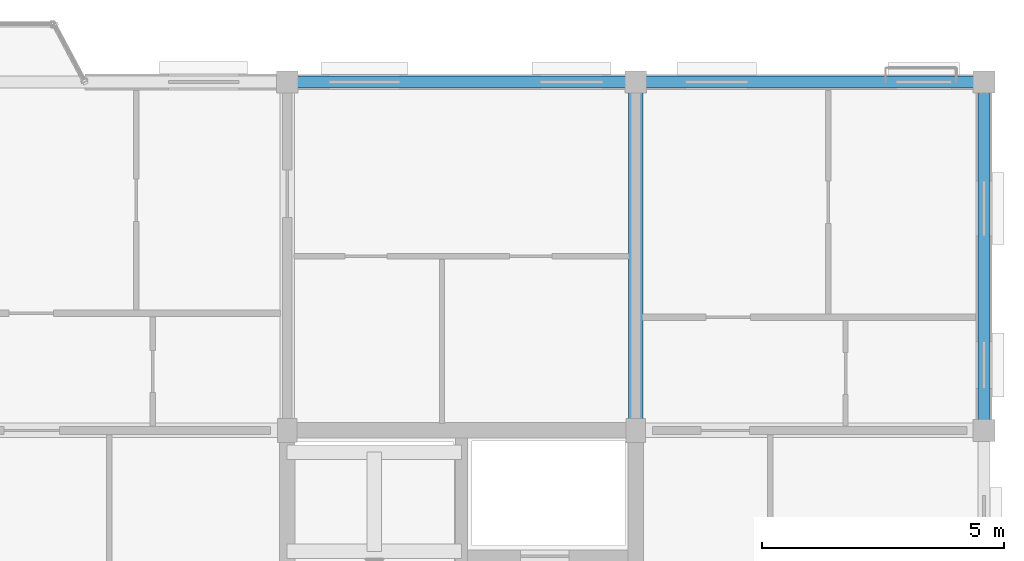
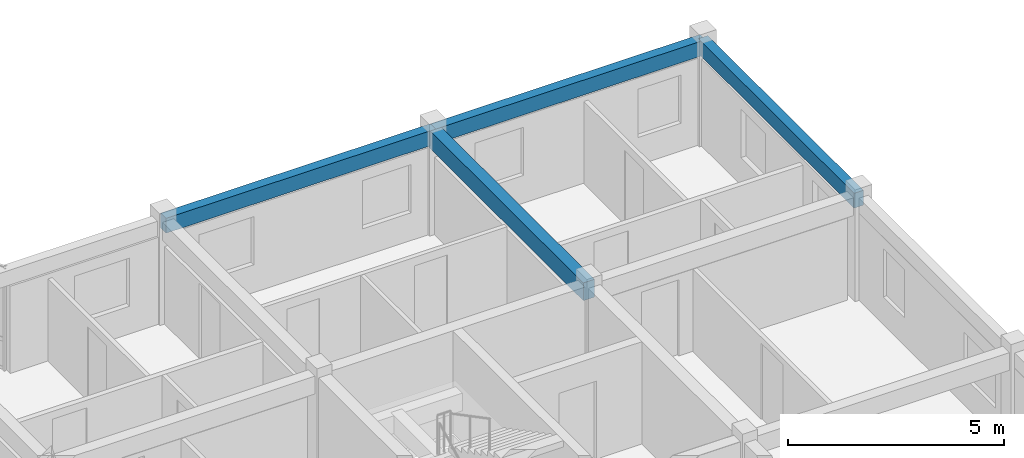
# One storey, part 13 of 28: 4 beams.
"""IFC4 building model written with IfcOpenShell, lengths in metres."""

from ifc_helpers import new_model, si_unit, direction, frame, origin, origin_2d, place, context, subcontext, project, spatial, rectangle, extrude, material, material_profile, profile_set, type_object, element, save


model = new_model("IFC4")

# Units and contexts
model_context = context("Model", 3, precision=1e-05, world=origin(), true_north=direction((0.0, 1.0)))
body_context = subcontext(model_context, "Body", "Model", "MODEL_VIEW")
ifc_project = project(units=[si_unit("LENGTHUNIT", "METRE"), si_unit("AREAUNIT", "SQUARE_METRE"), si_unit("VOLUMEUNIT", "CUBIC_METRE"), si_unit("PLANEANGLEUNIT", "RADIAN"), si_unit("MASSUNIT", "GRAM", prefix="KILO"), si_unit("THERMODYNAMICTEMPERATUREUNIT", "KELVIN"), si_unit("POWERUNIT", "WATT")], contexts=[model_context])

# Site, building, storey
site_placement = place(None, origin())
site = spatial("IfcSite", under=ifc_project, at=site_placement, CompositionType="ELEMENT")
building_placement = place(site_placement, origin())
building = spatial("IfcBuilding", under=site, at=building_placement, Name="Tavuni Mirador Residences", CompositionType="ELEMENT")
storey_placement = place(building_placement, frame((0.0, 0.0, 39.14990234375)))
storey = spatial("IfcBuildingStorey", under=building, at=storey_placement, Name="L12", CompositionType="ELEMENT", Elevation=39.14990234375)

# Beams
ifc_material = material(Name="Precast concrete C40/50", Category="concrete")
ifc_material_profile_1 = material_profile(ifc_material, rectangle(XDim=0.300048828125, YDim=0.5, at=origin_2d()), Name="PC 300x500", Category="concrete")
ifc_profile_set_1 = profile_set([ifc_material_profile_1], Name="Precast concrete C40/50")
beam_type_1 = type_object("IfcBeamType", Name="BT-B500", PredefinedType="BEAM", material=ifc_profile_set_1)
beam_placement = place(storey_placement, frame((46.800048828125, 165.60009765625, 2.635009765625), z_axis=(0.0, 1.0, 0.0), x_axis=(-1.0, 0.0, 0.0)))
element("IfcBeam", 1, at=beam_placement, inside=storey, type_object=beam_type_1, Name="BMY-BLK-C-L12-04-02", PredefinedType="BEAM", context=body_context, shape_type="SweptSolid", body=[
    extrude(rectangle(XDim=0.300048828125, YDim=0.5, at=origin_2d()), origin(), (0.0, 0.0, 1.0), 7.199951171875),
])
ifc_material_profile_2 = material_profile(ifc_material, rectangle(XDim=0.25, YDim=0.419921875, at=origin_2d()), Name="PC 250x420", Category="concrete")
ifc_profile_set_2 = profile_set([ifc_material_profile_2], Name="Precast concrete C40/50")
beam_type_2 = type_object("IfcBeamType", Name="BT-SP420", PredefinedType="SPANDREL", material=ifc_profile_set_2)
for number, where, z_axis, x_axis, name in (
    (2, (39.60009765625, 172.800048828125, 2.675048828125), (1.0, 0.0, 0.0), (0.0, 1.0, 0.0), "BMX-BLK-C-L12-03-03"),
    (3, (46.800048828125, 172.800048828125, 2.675048828125), (1.0, 0.0, 0.0), (0.0, 1.0, 0.0), "BMX-BLK-C-L12-04-03"),
    (4, (54.0, 165.60009765625, 2.675048828125), (0.0, 1.0, 0.0), (-1.0, 0.0, 0.0), "BMY-BLK-C-L12-05-02"),
):
    element("IfcBeam", number, at=place(storey_placement, frame(where, z_axis=z_axis, x_axis=x_axis)), inside=storey, type_object=beam_type_2, Name=name, PredefinedType="SPANDREL", context=body_context, shape_type="SweptSolid", body=[
        extrude(rectangle(XDim=0.25, YDim=0.419921875, at=origin_2d()), origin(), (0.0, 0.0, 1.0), 7.199951171875),
    ])

save(model, "model.ifc")
